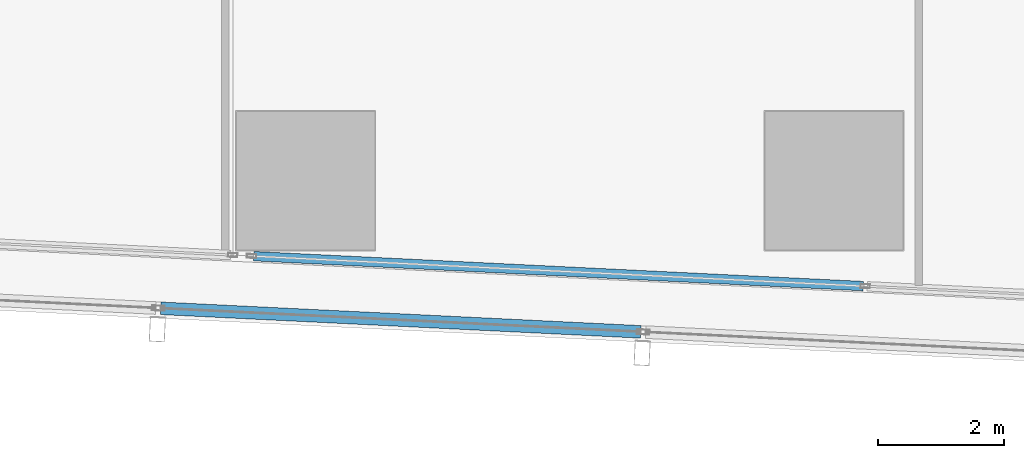
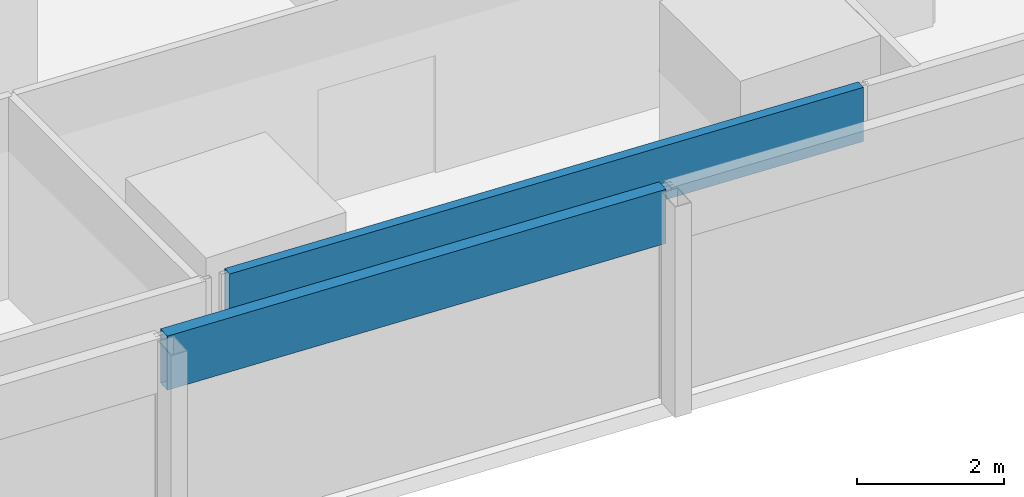
# One storey, part 3 of 44: 2 members, 2 elements without a shape of their own.
"""IFC4 building model written with IfcOpenShell, lengths in metres."""

from ifc_helpers import new_model, si_unit, direction, frame, origin, origin_2d, place, context, subcontext, project, spatial, hollow_rectangle, extrude, material, material_profile, profile_set, type_object, element, aggregate, save


model = new_model("IFC4")

# Units and contexts
model_context = context("Model", 3, precision=1e-05, world=origin(), true_north=direction((0.0, 1.0)))
body_context = subcontext(model_context, "Body", "Model", "MODEL_VIEW")
ifc_project = project(units=[si_unit("LENGTHUNIT", "METRE"), si_unit("AREAUNIT", "SQUARE_METRE"), si_unit("VOLUMEUNIT", "CUBIC_METRE"), si_unit("PLANEANGLEUNIT", "RADIAN"), si_unit("MASSUNIT", "GRAM", prefix="KILO")], contexts=[model_context])

# Site, building, storey
site_placement = place(None, origin())
site = spatial("IfcSite", under=ifc_project, at=site_placement, CompositionType="ELEMENT")
building_placement = place(site_placement, origin())
building = spatial("IfcBuilding", under=site, at=building_placement, Name="Rekha Terrace Tower", CompositionType="ELEMENT")
storey_placement = place(building_placement, frame((0.0, 0.0, 59.14990234375)))
storey = spatial("IfcBuildingStorey", under=building, at=storey_placement, Name="L14", CompositionType="ELEMENT", Elevation=59.14990234375)

# Curtain wall, member
ifc_material_1 = material(Name="Aluminium framing", Category="aluminium")
curtain_wall_type_1 = type_object("IfcCurtainWallType", Name="CW1 double skin inner glazing", PredefinedType="USERDEFINED", material=ifc_material_1)
curtain_wall_1_placement = place(storey_placement, origin())
curtain_wall_1 = element("IfcCurtainWall", 1, at=curtain_wall_1_placement, inside=storey, type_object=curtain_wall_type_1, Name="CW1 double skin inner glazing", ObjectType="DOUBLE SKIN INNER GLAZING", PredefinedType="USERDEFINED")
ifc_material_2 = material(Name="Insulated aluminium spandrel box", Category="aluminium")
ifc_material_profile_1 = material_profile(ifc_material_2, hollow_rectangle(XDim=0.14990234375, YDim=0.89990234375, WallThickness=0.0029296875, at=origin_2d()), Name="AL SPANDREL BOX 150x900")
ifc_profile_set_1 = profile_set([ifc_material_profile_1], Name="Insulated aluminium spandrel box")
member_type_1 = type_object("IfcMemberType", Name="CW1 spandrel transom 150 x 900", PredefinedType="USERDEFINED", material=ifc_profile_set_1)
member_1_placement = place(storey_placement, frame((15.973388671875, 7.200927734375, 3.050048828125), z_axis=(0.99879655824, -0.049045236754, 0.0), x_axis=(0.049045236754, 0.99879655824, 0.0)))
member_1 = element("IfcMember", 2, at=member_1_placement, type_object=member_type_1, Name="CW1 spandrel transom 1", ObjectType="TRANSOM", PredefinedType="USERDEFINED", context=body_context, shape_type="SweptSolid", body=[
    extrude(hollow_rectangle(XDim=0.14990234375, YDim=0.89990234375, WallThickness=0.0029296875, at=origin_2d()), origin(), (0.0, 0.0, 1.0), 9.701904296875),
])
aggregate(curtain_wall_1, [member_1])

curtain_wall_type_2 = type_object("IfcCurtainWallType", Name="CW2 double skin outer glazing", PredefinedType="USERDEFINED", material=ifc_material_1)
curtain_wall_2_placement = place(storey_placement, origin())
curtain_wall_2 = element("IfcCurtainWall", 3, at=curtain_wall_2_placement, inside=storey, type_object=curtain_wall_type_2, Name="CW2 double skin outer glazing", ObjectType="DOUBLE SKIN OUTER GLAZING", PredefinedType="USERDEFINED")
ifc_material_profile_2 = material_profile(ifc_material_2, hollow_rectangle(XDim=0.199951171875, YDim=0.89990234375, WallThickness=0.0029296875, at=origin_2d()), Name="AL SPANDREL BOX 200x900")
ifc_profile_set_2 = profile_set([ifc_material_profile_2], Name="Insulated aluminium spandrel box")
member_type_2 = type_object("IfcMemberType", Name="CW2 spandrel transom 200 x 900", PredefinedType="USERDEFINED", material=ifc_profile_set_2)
member_2_placement = place(storey_placement, frame((14.499755859375, 6.372314453125, 3.050048828125), z_axis=(0.998796511558, -0.049046187417, 0.0), x_axis=(0.049046187417, 0.998796511558, 0.0)))
member_2 = element("IfcMember", 4, at=member_2_placement, type_object=member_type_2, Name="CW2 spandrel transom 2", ObjectType="TRANSOM", PredefinedType="USERDEFINED", context=body_context, shape_type="SweptSolid", body=[
    extrude(hollow_rectangle(XDim=0.199951171875, YDim=0.89990234375, WallThickness=0.0029296875, at=origin_2d()), origin(), (0.0, 0.0, 1.0), 7.635986328125),
])
aggregate(curtain_wall_2, [member_2])

save(model, "model.ifc")
